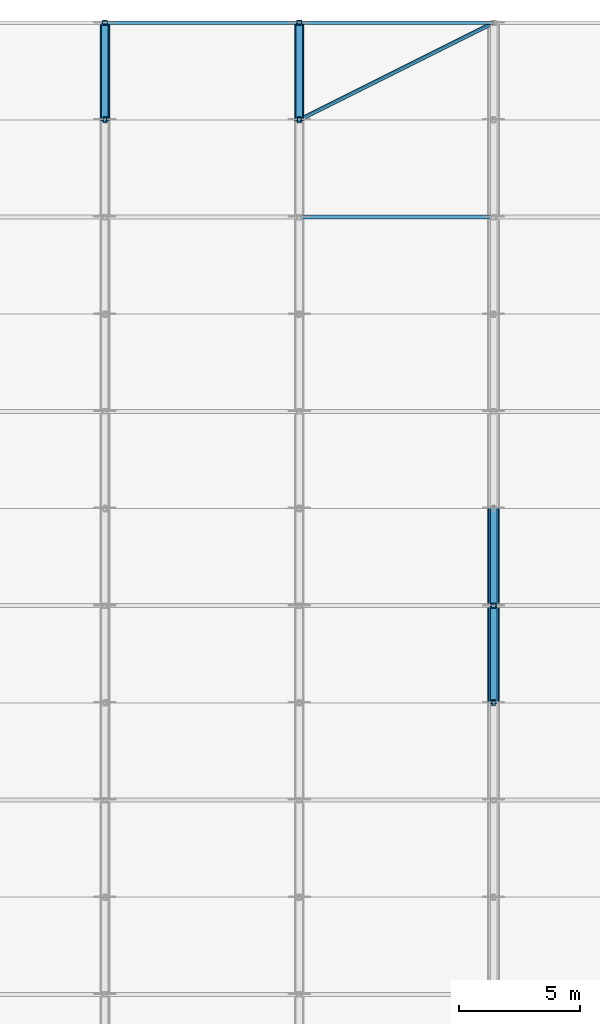
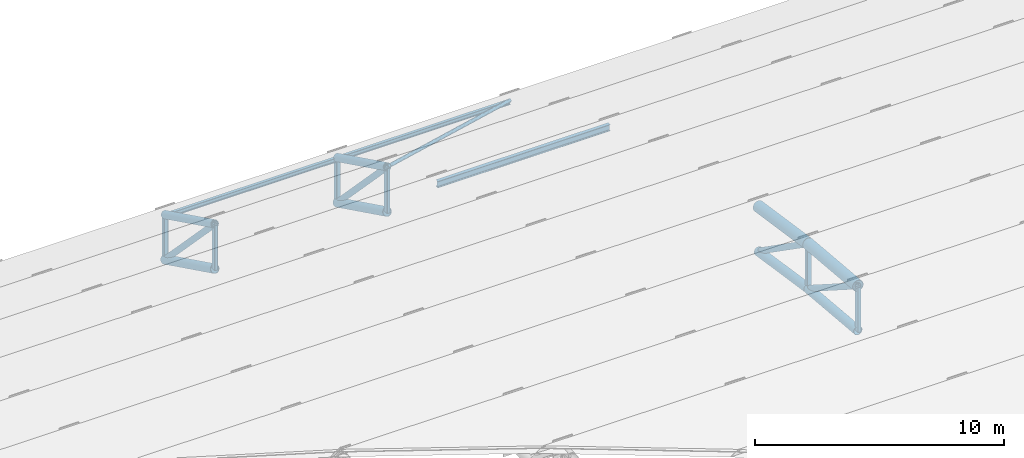
# One storey, part 34 of 98: 22 members.
"""IFC4 building model written with IfcOpenShell, lengths in metres."""

from ifc_helpers import new_model, si_unit, direction, frame, origin, origin_2d, place, context, subcontext, project, spatial, hollow_rectangle, hollow_circle, i_section, extrude, material, material_profile, profile_set, type_object, element, save


model = new_model("IFC4")

# Units and contexts
model_context = context("Model", 3, precision=1e-05, world=origin(), true_north=direction((0.0, 1.0)))
body_context = subcontext(model_context, "Body", "Model", "MODEL_VIEW")
ifc_project = project(units=[si_unit("LENGTHUNIT", "METRE"), si_unit("AREAUNIT", "SQUARE_METRE"), si_unit("VOLUMEUNIT", "CUBIC_METRE"), si_unit("PLANEANGLEUNIT", "RADIAN"), si_unit("MASSUNIT", "GRAM", prefix="KILO")], contexts=[model_context])

# Site, building, storey
site_placement = place(None, origin())
site = spatial("IfcSite", under=ifc_project, at=site_placement, CompositionType="ELEMENT")
building_placement = place(site_placement, origin())
building = spatial("IfcBuilding", under=site, at=building_placement, Name="Tlacozan Convention Centre", CompositionType="ELEMENT")
storey_placement = place(building_placement, frame((0.0, 0.0, 25.800048828125)))
storey = spatial("IfcBuildingStorey", under=building, at=storey_placement, Name="Roof", CompositionType="ELEMENT", Elevation=25.800048828125)

# Members
ifc_material_1 = material(Name="Steel ASTM A500 Grade C", Category="steel")
ifc_material_profile_1 = material_profile(ifc_material_1, hollow_circle(Radius=0.203125, WallThickness=0.015869140625, at=origin_2d()), Name="OC 406.4x15.9")
ifc_profile_set_1 = profile_set([ifc_material_profile_1], Name="Steel ASTM A500 Grade C")
member_type_1 = type_object("IfcMemberType", Name="Arch Bottom Chord OC 406.4x15.9", PredefinedType="CHORD", material=ifc_profile_set_1)
for number, where, z_axis, x_axis, name in (
    (1, (80.0, 122.0, -10.832275390625), (0.0, 0.897300183135, -0.441420866459), (-1.0, 0.0, 0.0), "V2A Roof Truss 11 Bottom Chord 16"),
    (2, (88.0, 122.0, -10.832275390625), (0.0, 0.897300183135, -0.441420866459), (-1.0, 0.0, 0.0), "V2A Roof Truss 12 Bottom Chord 16"),
):
    element("IfcMember", number, at=place(storey_placement, frame(where, z_axis=z_axis, x_axis=x_axis)), inside=storey, type_object=member_type_1, Name=name, PredefinedType="CHORD", context=body_context, shape_type="SweptSolid", body=[
        extrude(hollow_circle(Radius=0.203125, WallThickness=0.015869140625, at=origin_2d()), origin(), (0.0, 0.0, 1.0), 4.457763671875),
    ])
member_1_placement = place(storey_placement, frame((96.0, 98.0, -4.917724609375), z_axis=(0.0, 0.996095959668, -0.088277058926), x_axis=(-1.0, 0.0, 0.0)))
element("IfcMember", 3, at=member_1_placement, inside=storey, type_object=member_type_1, Name="V2A Roof Truss 13 Bottom Chord 10", PredefinedType="CHORD", context=body_context, shape_type="SweptSolid", body=[
    extrude(hollow_circle(Radius=0.203125, WallThickness=0.015869140625, at=origin_2d()), origin(), (0.0, 0.0, 1.0), 4.015625),
])
member_2_placement = place(storey_placement, frame((96.0, 102.0, -5.272216796875), z_axis=(0.0, 0.98911804631, -0.147124064872), x_axis=(-1.0, 0.0, 0.0)))
element("IfcMember", 4, at=member_2_placement, inside=storey, type_object=member_type_1, Name="V2A Roof Truss 13 Bottom Chord 11", PredefinedType="CHORD", context=body_context, shape_type="SweptSolid", body=[
    extrude(hollow_circle(Radius=0.203125, WallThickness=0.015869140625, at=origin_2d()), origin(), (0.0, 0.0, 1.0), 4.0439453125),
])
ifc_material_profile_2 = material_profile(ifc_material_1, hollow_circle(Radius=0.25390625, WallThickness=0.01904296875, at=origin_2d()), Name="OC 508.0x19.1")
ifc_profile_set_2 = profile_set([ifc_material_profile_2], Name="Steel ASTM A500 Grade C")
member_type_2 = type_object("IfcMemberType", Name="Arch Top Chord OC 508x19.1", PredefinedType="CHORD", material=ifc_profile_set_2)
member_3_placement = place(storey_placement, frame((96.0, 98.0, -2.7177734375), z_axis=(0.0, 0.996095959668, -0.088277058926), x_axis=(-1.0, 0.0, 0.0)))
element("IfcMember", 5, at=member_3_placement, inside=storey, type_object=member_type_2, Name="V2A Roof Truss 13 Top Chord 10", PredefinedType="CHORD", context=body_context, shape_type="SweptSolid", body=[
    extrude(hollow_circle(Radius=0.25390625, WallThickness=0.01904296875, at=origin_2d()), origin(), (0.0, 0.0, 1.0), 4.015625),
])
member_4_placement = place(storey_placement, frame((96.0, 102.0, -3.072265625), z_axis=(0.0, 0.98911804631, -0.147124064872), x_axis=(-1.0, 0.0, 0.0)))
element("IfcMember", 6, at=member_4_placement, inside=storey, type_object=member_type_2, Name="V2A Roof Truss 13 Top Chord 11", PredefinedType="CHORD", context=body_context, shape_type="SweptSolid", body=[
    extrude(hollow_circle(Radius=0.25390625, WallThickness=0.01904296875, at=origin_2d()), origin(), (0.0, 0.0, 1.0), 4.0439453125),
])
ifc_material_profile_3 = material_profile(ifc_material_1, hollow_circle(Radius=0.136474609375, WallThickness=0.0126953125, at=origin_2d()), Name="OC 273.1x12.7")
ifc_profile_set_3 = profile_set([ifc_material_profile_3], Name="Steel ASTM A500 Grade C")
member_type_3 = type_object("IfcMemberType", Name="Arch Web Diagonal OC 273.1x12.7", PredefinedType="BRACE", material=ifc_profile_set_3)
for number, where, z_axis, x_axis, name in (
    (7, (80.0, 122.0, -8.63232421875), (0.0, 0.69244032859, -0.721475149497), (-1.0, 0.0, 0.0), "V2A Roof Truss 11 Web Diagonal 16"),
    (8, (88.0, 122.0, -8.63232421875), (0.0, 0.69244032859, -0.721475149497), (-1.0, 0.0, 0.0), "V2A Roof Truss 12 Web Diagonal 16"),
):
    element("IfcMember", number, at=place(storey_placement, frame(where, z_axis=z_axis, x_axis=x_axis)), inside=storey, type_object=member_type_3, Name=name, PredefinedType="BRACE", context=body_context, shape_type="SweptSolid", body=[
        extrude(hollow_circle(Radius=0.136474609375, WallThickness=0.0126953125, at=origin_2d()), origin(), (0.0, 0.0, 1.0), 5.776611328125),
    ])
member_5_placement = place(storey_placement, frame((96.0, 98.0, -2.7177734375), z_axis=(0.0, 0.842802563321, -0.538222852785), x_axis=(-1.0, 0.0, 0.0)))
element("IfcMember", 9, at=member_5_placement, inside=storey, type_object=member_type_3, Name="V2A Roof Truss 13 Web Diagonal 10", PredefinedType="BRACE", context=body_context, shape_type="SweptSolid", body=[
    extrude(hollow_circle(Radius=0.136474609375, WallThickness=0.0126953125, at=origin_2d()), origin(), (0.0, 0.0, 1.0), 4.74609375),
])
member_6_placement = place(storey_placement, frame((96.0, 102.0, -3.072265625), z_axis=(0.0, 0.819720523855, -0.572763705877), x_axis=(-1.0, 0.0, 0.0)))
element("IfcMember", 10, at=member_6_placement, inside=storey, type_object=member_type_3, Name="V2A Roof Truss 13 Web Diagonal 11", PredefinedType="BRACE", context=body_context, shape_type="SweptSolid", body=[
    extrude(hollow_circle(Radius=0.136474609375, WallThickness=0.0126953125, at=origin_2d()), origin(), (0.0, 0.0, 1.0), 4.879638671875),
])
ifc_material_profile_4 = material_profile(ifc_material_1, hollow_rectangle(XDim=0.203125, YDim=0.203125, WallThickness=0.0126953125, InnerFilletRadius=0.0126953125, OuterFilletRadius=0.02490234375, at=origin_2d()), Name="OR 203x203x12.7")
ifc_profile_set_4 = profile_set([ifc_material_profile_4], Name="Steel ASTM A500 Grade C")
member_type_4 = type_object("IfcMemberType", Name="Arch Web Strut OR 203x203x12.7", PredefinedType="STRUT", material=ifc_profile_set_4)
for number, where, z_axis, x_axis, name in (
    (11, (80.0, 126.0, -12.800048828125), (0.0, 0.0, 1.0), (1.0, 0.0, 0.0), "V2A Roof Truss 11 Vertical Strut 17"),
    (12, (88.0, 126.0, -12.800048828125), (0.0, 0.0, 1.0), (1.0, 0.0, 0.0), "V2A Roof Truss 12 Vertical Strut 17"),
    (13, (96.0, 102.0, -5.272216796875), (0.0, 0.0, 1.0), (1.0, 0.0, 0.0), "V2A Roof Truss 13 Vertical Strut 11"),
):
    element("IfcMember", number, at=place(storey_placement, frame(where, z_axis=z_axis, x_axis=x_axis)), inside=storey, type_object=member_type_4, Name=name, PredefinedType="STRUT", context=body_context, shape_type="SweptSolid", body=[
        extrude(hollow_rectangle(XDim=0.203125, YDim=0.203125, WallThickness=0.0126953125, InnerFilletRadius=0.0126953125, OuterFilletRadius=0.02490234375, at=origin_2d()), origin(), (0.0, 0.0, 1.0), 2.199951171875),
    ])
ifc_material_profile_5 = material_profile(ifc_material_1, hollow_circle(Radius=0.084228515625, WallThickness=0.007080078125, at=origin_2d()), Name="OC 168.3x7.1")
ifc_profile_set_5 = profile_set([ifc_material_profile_5], Name="Steel ASTM A500 Grade C")
member_type_5 = type_object("IfcMemberType", Name="Canopy Tie Brace OC 168.3x7.1", PredefinedType="BRACE", material=ifc_profile_set_5)
member_7_placement = place(storey_placement, frame((88.0, 122.0, -8.63232421875), z_axis=(0.873536677994, 0.436768338997, -0.214865283955), x_axis=(-0.4472135955, 0.894427191, 0.0)))
element("IfcMember", 14, at=member_7_placement, inside=storey, type_object=member_type_5, Name="V2A Roof Truss Plan Brace 12.16", PredefinedType="BRACE", context=body_context, shape_type="SweptSolid", body=[
    extrude(hollow_circle(Radius=0.084228515625, WallThickness=0.007080078125, at=origin_2d()), origin(), (0.0, 0.0, 1.0), 9.158203125),
])
ifc_material_2 = material(Name="Steel ASTM A992 Grade 50", Category="steel")
ifc_material_profile_6 = material_profile(ifc_material_2, i_section(OverallWidth=0.1669921875, OverallDepth=0.31689453125, WebThickness=0.007568359375, FlangeThickness=0.01318359375, FilletRadius=0.010009765625, at=origin_2d()), Name="IR 305x52.2")
ifc_profile_set_6 = profile_set([ifc_material_profile_6], Name="Steel ASTM A992 Grade 50")
member_type_6 = type_object("IfcMemberType", Name="Roof Purlin IR 305x52.2", PredefinedType="PURLIN", material=ifc_profile_set_6)
member_8_placement = place(storey_placement, frame((88.0, 118.0, -7.041259765625), z_axis=(1.0, 0.0, 0.0), x_axis=(0.0, 1.0, 0.0)))
element("IfcMember", 15, at=member_8_placement, inside=storey, type_object=member_type_6, Name="V2A Roof Truss Purlin 12.15", PredefinedType="PURLIN", context=body_context, shape_type="SweptSolid", body=[
    extrude(i_section(OverallWidth=0.1669921875, OverallDepth=0.31689453125, WebThickness=0.007568359375, FlangeThickness=0.01318359375, FilletRadius=0.010009765625, at=origin_2d()), origin(), (0.0, 0.0, 1.0), 8.0),
])
ifc_material_profile_7 = material_profile(ifc_material_1, hollow_circle(Radius=0.177734375, WallThickness=0.015869140625, at=origin_2d()), Name="OC 355.6x15.9")
ifc_profile_set_7 = profile_set([ifc_material_profile_7], Name="Steel ASTM A500 Grade C")
member_type_7 = type_object("IfcMemberType", Name="Secondary Arch Chord OC 355.6x15.9", PredefinedType="CHORD", material=ifc_profile_set_7)
for number, where, z_axis, x_axis, name in (
    (16, (80.0, 122.0, -8.63232421875), (0.0, 0.897300183135, -0.441420866459), (-1.0, 0.0, 0.0), "V2A Roof Truss 11 Top Chord 16"),
    (17, (88.0, 122.0, -8.63232421875), (0.0, 0.897300183135, -0.441420866459), (-1.0, 0.0, 0.0), "V2A Roof Truss 12 Top Chord 16"),
):
    element("IfcMember", number, at=place(storey_placement, frame(where, z_axis=z_axis, x_axis=x_axis)), inside=storey, type_object=member_type_7, Name=name, PredefinedType="CHORD", context=body_context, shape_type="SweptSolid", body=[
        extrude(hollow_circle(Radius=0.177734375, WallThickness=0.015869140625, at=origin_2d()), origin(), (0.0, 0.0, 1.0), 4.457763671875),
    ])
ifc_material_profile_8 = material_profile(ifc_material_2, i_section(OverallWidth=0.134033203125, OverallDepth=0.2099609375, WebThickness=0.00634765625, FlangeThickness=0.01025390625, FilletRadius=0.008056640625, at=origin_2d()), Name="IR 203x31.3")
ifc_profile_set_8 = profile_set([ifc_material_profile_8], Name="Steel ASTM A992 Grade 50")
member_type_8 = type_object("IfcMemberType", Name="Secondary Eave Purlin IR 203x31.3", PredefinedType="PURLIN", material=ifc_profile_set_8)
for number, where, z_axis, x_axis, name in (
    (18, (80.0, 126.0, -10.6650390625), (1.0, 0.0, 0.0), (0.0, 1.0, 0.0), "V2A Roof Truss Purlin 11.17"),
    (19, (88.0, 126.0, -10.6650390625), (1.0, 0.0, 0.0), (0.0, 1.0, 0.0), "V2A Roof Truss Purlin 12.17"),
):
    element("IfcMember", number, at=place(storey_placement, frame(where, z_axis=z_axis, x_axis=x_axis)), inside=storey, type_object=member_type_8, Name=name, PredefinedType="PURLIN", context=body_context, shape_type="SweptSolid", body=[
        extrude(i_section(OverallWidth=0.134033203125, OverallDepth=0.2099609375, WebThickness=0.00634765625, FlangeThickness=0.01025390625, FilletRadius=0.008056640625, at=origin_2d()), origin(), (0.0, 0.0, 1.0), 8.0),
    ])
ifc_material_profile_9 = material_profile(ifc_material_1, hollow_rectangle(XDim=0.15234375, YDim=0.25390625, WallThickness=0.0126953125, InnerFilletRadius=0.0126953125, OuterFilletRadius=0.02490234375, at=origin_2d()), Name="OR 254x152x12.7")
ifc_profile_set_9 = profile_set([ifc_material_profile_9], Name="Steel ASTM A500 Grade C")
member_type_9 = type_object("IfcMemberType", Name="Truss Secondary Strut OR 254x152x12.7", PredefinedType="STRUT", material=ifc_profile_set_9)
for number, where, z_axis, x_axis, name in (
    (20, (80.0, 122.0, -10.832275390625), (0.0, 0.0, 1.0), (1.0, 0.0, 0.0), "V2A Roof Truss 11 Vertical Strut 16"),
    (21, (88.0, 122.0, -10.832275390625), (0.0, 0.0, 1.0), (1.0, 0.0, 0.0), "V2A Roof Truss 12 Vertical Strut 16"),
    (22, (96.0, 98.0, -4.917724609375), (0.0, 0.0, 1.0), (1.0, 0.0, 0.0), "V2A Roof Truss 13 Vertical Strut 10"),
):
    element("IfcMember", number, at=place(storey_placement, frame(where, z_axis=z_axis, x_axis=x_axis)), inside=storey, type_object=member_type_9, Name=name, PredefinedType="STRUT", context=body_context, shape_type="SweptSolid", body=[
        extrude(hollow_rectangle(XDim=0.15234375, YDim=0.25390625, WallThickness=0.0126953125, InnerFilletRadius=0.0126953125, OuterFilletRadius=0.02490234375, at=origin_2d()), origin(), (0.0, 0.0, 1.0), 2.199951171875),
    ])

save(model, "model.ifc")
